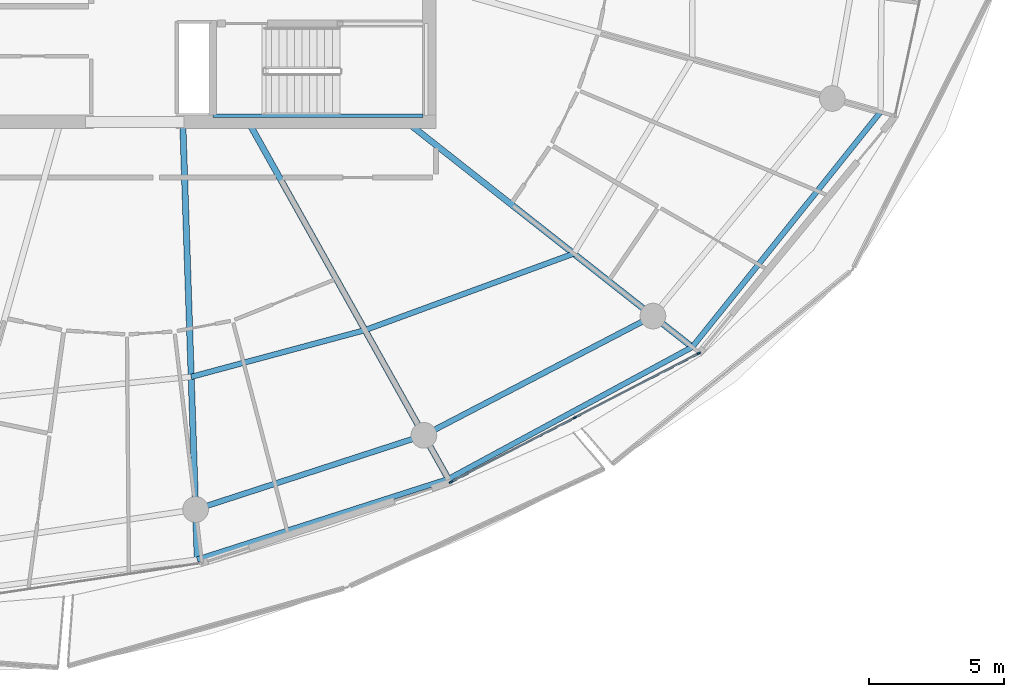
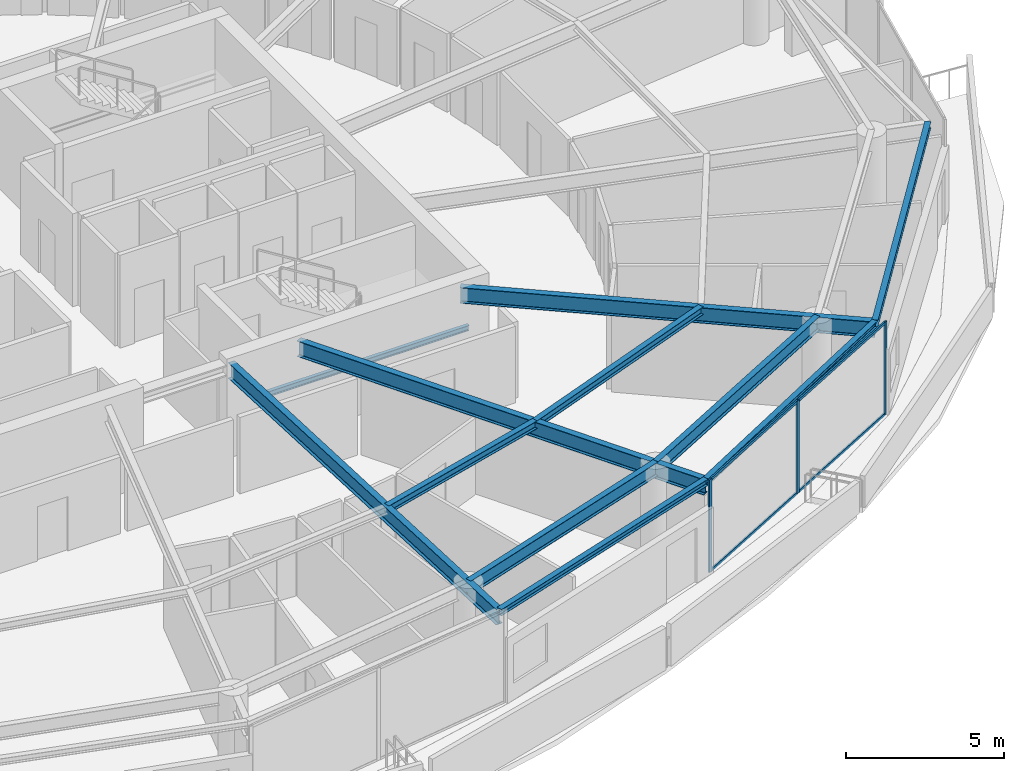
# One storey, part 10 of 30: 11 beams, 7 members, 1 element without a shape of its own.
"""IFC4 building model written with IfcOpenShell, lengths in metres."""

import ifcopenshell
import ifcopenshell.guid

model = None  # the IFC model being written
_history = None  # IfcOwnerHistory: only IFC2X3 demands one
_inside = {}  # id of a spatial element -> (the spatial element, [elements in it])
_under = {}  # id of a project, library or spatial element -> (it, [spatial elements below it])
_declared = {}  # id of a project -> (the project, [libraries it declares])
_typed = {}  # id of a type object -> (the type object, [elements of that type])
_made_of = {}  # id of a material, layer set ... -> (it, [elements and type objects made of it])


def new_model(schema):
    """Start an empty IFC model of exactly this schema.

    Asked for "IFC4X3", IfcOpenShell would pick the latest addendum, in which some entities
    have other attributes; the version numbers below select the first issue.
    IFC2X3 requires an IfcOwnerHistory on every rooted entity: one is made here for all.
    """
    global model, _history
    if schema == "IFC4X3":
        model = ifcopenshell.file(schema_version=(4, 3, 0, 0))
    else:
        model = ifcopenshell.file(schema=schema)
    _inside.clear()
    _under.clear()
    _declared.clear()
    _typed.clear()
    _made_of.clear()
    _history = None
    if model.schema == "IFC2X3":
        org = make("IfcOrganization", Name="unknown")
        user = make(
            "IfcPersonAndOrganization",
            ThePerson=make("IfcPerson", FamilyName="unknown"),
            TheOrganization=org,
        )
        app = make(
            "IfcApplication",
            ApplicationDeveloper=org,
            Version="unknown",
            ApplicationFullName="unknown",
            ApplicationIdentifier="unknown",
        )
        _history = make(
            "IfcOwnerHistory",
            OwningUser=user,
            OwningApplication=app,
            ChangeAction="ADDED",
            CreationDate=0,
        )
    return model


def make(cls, **values):
    """One entity of the class cls with the attributes given. An attribute that is None is left unset."""
    return model.create_entity(
        cls, **{name: value for name, value in values.items() if value is not None}
    )


def rooted(cls, **values):
    """An entity with a GlobalId (a new one), such as an element, a storey or a relation."""
    return make(cls, GlobalId=ifcopenshell.guid.new(), OwnerHistory=_history, **values)


def si_unit(unit_type, name, prefix=None):
    """IfcSIUnit, for example si_unit("LENGTHUNIT", "METRE", prefix="MILLI")."""
    return make("IfcSIUnit", UnitType=unit_type, Prefix=prefix, Name=name)


def assignment(units):
    """IfcUnitAssignment: the units of a project."""
    return None if units is None else make("IfcUnitAssignment", Units=units)


def point(xyz):
    """IfcCartesianPoint."""
    return None if xyz is None else make("IfcCartesianPoint", Coordinates=xyz)


def direction(xyz):
    """IfcDirection."""
    return None if xyz is None else make("IfcDirection", DirectionRatios=xyz)


def frame(location, z_axis=None, x_axis=None):
    """IfcAxis2Placement3D, a coordinate frame: its origin and axes. An axis left out is left unset."""
    return make(
        "IfcAxis2Placement3D",
        Location=point(location),
        Axis=direction(z_axis),
        RefDirection=direction(x_axis),
    )


def frame_2d(location, x_axis=None):
    """IfcAxis2Placement2D, a coordinate frame in the plane: its origin and x axis."""
    return make(
        "IfcAxis2Placement2D", Location=point(location), RefDirection=direction(x_axis)
    )


def origin():
    """The frame at (0, 0, 0) with its axes left unset."""
    return frame((0.0, 0.0, 0.0))


def origin_2d():
    """The frame at (0, 0) in the plane with its x axis left unset."""
    return frame_2d((0.0, 0.0))


def place(relative_to, where):
    """IfcLocalPlacement: puts the frame where relative to a parent placement (None: the world)."""
    return make(
        "IfcLocalPlacement", PlacementRelTo=relative_to, RelativePlacement=where
    )


def context(
    kind, dimensions, precision=None, world=None, true_north=None, identifier=None
):
    """IfcGeometricRepresentationContext, for example the 3D "Model" context."""
    return make(
        "IfcGeometricRepresentationContext",
        ContextIdentifier=identifier,
        ContextType=kind,
        CoordinateSpaceDimension=dimensions,
        Precision=precision,
        WorldCoordinateSystem=world,
        TrueNorth=true_north,
    )


def subcontext(parent, identifier, kind, view, scale=None):
    """IfcGeometricRepresentationSubContext, for example "Body" below "Model"."""
    return make(
        "IfcGeometricRepresentationSubContext",
        ContextIdentifier=identifier,
        ContextType=kind,
        ParentContext=parent,
        TargetScale=scale,
        TargetView=view,
    )


def project(units=None, contexts=None):
    """IfcProject with its units and contexts."""
    return rooted(
        "IfcProject",
        Name="project",
        RepresentationContexts=contexts,
        UnitsInContext=assignment(units),
    )


def spatial(cls, under=None, at=None, **own):
    """A site, building, storey or space (cls), placed at a placement, below another one or the project."""
    s = rooted(cls, ObjectPlacement=at, **own)
    if under is not None:
        _under.setdefault(under.id(), (under, []))[1].append(s)
    return s


def profile(cls, at=None, kind="AREA", **sizes):
    """A parametric profile (cls). Its sizes go by their IFC names, for example OverallWidth=200.0."""
    return make(cls, ProfileType=kind, Position=at, **sizes)


def rectangle(**sizes):
    """IfcRectangleProfileDef."""
    return profile("IfcRectangleProfileDef", **sizes)


def i_section(**sizes):
    """IfcIShapeProfileDef."""
    return profile("IfcIShapeProfileDef", **sizes)


def extrude(swept, where, along, depth):
    """IfcExtrudedAreaSolid: the profile swept, set in the frame where, extruded along a direction by depth."""
    return make(
        "IfcExtrudedAreaSolid",
        SweptArea=swept,
        Position=where,
        ExtrudedDirection=direction(along),
        Depth=depth,
    )


def shape(context_of_items, identifier, shape_type, items):
    """IfcShapeRepresentation: the items that make up one representation, for example the "Body"."""
    return make(
        "IfcShapeRepresentation",
        ContextOfItems=context_of_items,
        RepresentationIdentifier=identifier,
        RepresentationType=shape_type,
        Items=items,
    )


def material(Name=None, Category=None):
    """IfcMaterial."""
    return make("IfcMaterial", Name=Name, Category=Category)


def layer(
    of_material, thickness, ventilated=None, Name=None, Category=None, Priority=None
):
    """IfcMaterialLayer: one layer of a wall or slab, of a material (None: an air gap)."""
    return make(
        "IfcMaterialLayer",
        Material=of_material,
        LayerThickness=thickness,
        IsVentilated=ventilated,
        Name=Name,
        Category=Category,
        Priority=Priority,
    )


def layer_set(layers, Name=None):
    """IfcMaterialLayerSet."""
    return make("IfcMaterialLayerSet", MaterialLayers=layers, LayerSetName=Name)


def material_profile(
    of_material, cross_section, Name=None, Category=None, Priority=None
):
    """IfcMaterialProfile: a cross section and its material."""
    return make(
        "IfcMaterialProfile",
        Name=Name,
        Material=of_material,
        Profile=cross_section,
        Priority=Priority,
        Category=Category,
    )


def profile_set(profiles, Name=None, composite=None):
    """IfcMaterialProfileSet."""
    return make(
        "IfcMaterialProfileSet",
        Name=Name,
        MaterialProfiles=profiles,
        CompositeProfile=composite,
    )


def made_of(thing, what):
    """Note that an element or type object is made of a material, layer set ...; save() writes the relation."""
    if what is not None:
        _made_of.setdefault(what.id(), (what, []))[1].append(thing)
    return thing


def type_object(cls, material=None, **own):
    """A type object (cls), such as IfcWallType, which elements share."""
    return made_of(rooted(cls, **own), material)


def element(
    cls,
    number,
    at=None,
    inside=None,
    cuts=None,
    type_object=None,
    material=None,
    context=None,
    identifier="Body",
    shape_type=None,
    held_by="IfcProductDefinitionShape",
    body=None,
    shapes=None,
    **own,
):
    """One element of the class cls, such as IfcWall. Its Tag is "e" and its number.

    at: its placement. inside: the storey or other place that contains it. cuts: it is an
    opening in that element (IfcRelVoidsElement). A single representation is given by context,
    identifier, shape_type and body (its items); several are given by shapes. held_by: the class
    of the entity that holds the representations. save() writes the other relations.
    """
    e = rooted(cls, Tag="e%d" % number, ObjectPlacement=at, **own)
    if body is not None:
        shapes = [shape(context, identifier, shape_type, body)]
    if shapes is not None:
        e.Representation = make(held_by, Representations=shapes)
    if inside is not None:
        _inside.setdefault(inside.id(), (inside, []))[1].append(e)
    if cuts is not None:
        rooted(
            "IfcRelVoidsElement", RelatingBuildingElement=cuts, RelatedOpeningElement=e
        )
    if type_object is not None:
        _typed.setdefault(type_object.id(), (type_object, []))[1].append(e)
    return made_of(e, material)


def aggregate(whole, parts):
    """IfcRelAggregates: a whole, such as a stair, and the parts it consists of."""
    return rooted("IfcRelAggregates", RelatingObject=whole, RelatedObjects=parts)


def save(model, path):
    """Write the relations noted so far, then the file.

    IfcRelAggregates (storeys below a building ...), IfcRelContainedInSpatialStructure (elements
    in a storey), IfcRelDefinesByType, IfcRelAssociatesMaterial and IfcRelDeclares: one each for
    every whole, place, type object, material and project.
    """
    for whole, parts in _under.values():
        aggregate(whole, parts)
    for where, things in _inside.values():
        rooted(
            "IfcRelContainedInSpatialStructure",
            RelatedElements=things,
            RelatingStructure=where,
        )
    for kind, things in _typed.values():
        rooted("IfcRelDefinesByType", RelatedObjects=things, RelatingType=kind)
    for what, things in _made_of.values():
        rooted("IfcRelAssociatesMaterial", RelatedObjects=things, RelatingMaterial=what)
    for by, libraries in _declared.values():
        rooted("IfcRelDeclares", RelatingContext=by, RelatedDefinitions=libraries)
    model.write(path)


model = new_model("IFC4")

# Units and contexts
model_context = context("Model", 3, precision=1e-05, world=origin(), true_north=direction((0.0, 1.0)))
body_context = subcontext(model_context, "Body", "Model", "MODEL_VIEW")
ifc_project = project(units=[si_unit("LENGTHUNIT", "METRE"), si_unit("AREAUNIT", "SQUARE_METRE"), si_unit("VOLUMEUNIT", "CUBIC_METRE"), si_unit("PLANEANGLEUNIT", "RADIAN"), si_unit("MASSUNIT", "GRAM", prefix="KILO")], contexts=[model_context])

# Site, building, storey
site_placement = place(None, origin())
site = spatial("IfcSite", under=ifc_project, at=site_placement, CompositionType="ELEMENT")
building_placement = place(site_placement, origin())
building = spatial("IfcBuilding", under=site, at=building_placement, Name="Kazma Halo Residences", CompositionType="ELEMENT")
storey_placement = place(building_placement, frame((0.0, 0.0, 298.300048828125)))
storey = spatial("IfcBuildingStorey", under=building, at=storey_placement, Name="L75", CompositionType="ELEMENT", Elevation=298.300048828125)

# Beams
ifc_material_1 = material(Name="Steel S355", Category="steel")
ifc_material_profile_1 = material_profile(ifc_material_1, i_section(OverallWidth=0.201904296875, OverallDepth=0.2470703125, WebThickness=0.00732421875, FlangeThickness=0.010986328125, FilletRadius=0.011962890625, at=origin_2d()), Name="W250x49.1")
ifc_profile_set_1 = profile_set([ifc_material_profile_1], Name="Steel S355")
beam_type_1 = type_object("IfcBeamType", Name="BM-BAL-CANT", PredefinedType="BEAM", material=ifc_profile_set_1)
beam_1_placement = place(storey_placement, frame((50.732666015625, 17.580078125, 3.466552734375), z_axis=(0.952222879483, 0.305403974742, 0.0), x_axis=(-0.305403974742, 0.952222879483, 0.0)))
element("IfcBeam", 1, at=beam_1_placement, inside=storey, type_object=beam_type_1, Name="L75 wave-balcony tie beam 12", PredefinedType="BEAM", context=body_context, shape_type="SweptSolid", body=[
    extrude(i_section(OverallWidth=0.201904296875, OverallDepth=0.2470703125, WebThickness=0.00732421875, FlangeThickness=0.010986328125, FilletRadius=0.011962890625, at=origin_2d()), origin(), (0.0, 0.0, 1.0), 9.742431640625),
])
beam_2_placement = place(storey_placement, frame((60.009521484375, 20.555419921875, 3.466552734375), z_axis=(0.879517282036, 0.475866946321, 0.0), x_axis=(-0.475866946321, 0.879517282036, 0.0)))
element("IfcBeam", 2, at=beam_2_placement, inside=storey, type_object=beam_type_1, Name="L75 wave-balcony tie beam 13", PredefinedType="BEAM", context=body_context, shape_type="SweptSolid", body=[
    extrude(i_section(OverallWidth=0.201904296875, OverallDepth=0.2470703125, WebThickness=0.00732421875, FlangeThickness=0.010986328125, FilletRadius=0.011962890625, at=origin_2d()), origin(), (0.0, 0.0, 1.0), 10.243408203125),
])
beam_3_placement = place(storey_placement, frame((69.018798828125, 25.429931640625, 3.466552734375), z_axis=(0.625117912406, 0.780530329705, 0.0), x_axis=(-0.780530329705, 0.625117912406, 0.0)))
element("IfcBeam", 3, at=beam_3_placement, inside=storey, type_object=beam_type_1, Name="L75 wave-balcony tie beam 14", PredefinedType="BEAM", context=body_context, shape_type="SweptSolid", body=[
    extrude(i_section(OverallWidth=0.201904296875, OverallDepth=0.2470703125, WebThickness=0.00732421875, FlangeThickness=0.010986328125, FilletRadius=0.011962890625, at=origin_2d()), origin(), (0.0, 0.0, 1.0), 11.1220703125),
])
ifc_material_profile_2 = material_profile(ifc_material_1, i_section(OverallWidth=0.22802734375, OverallDepth=0.60791015625, WebThickness=0.01123046875, FlangeThickness=0.017333984375, FilletRadius=0.01806640625, at=origin_2d()), Name="W610x113")
ifc_profile_set_2 = profile_set([ifc_material_profile_2], Name="Steel S355")
beam_type_2 = type_object("IfcBeamType", Name="BM-RAD-W610", PredefinedType="BEAM", material=ifc_profile_set_2)
beam_4_placement = place(storey_placement, frame((50.199951171875, 33.64990234375, 3.285888671875), z_axis=(0.033131810975, -0.999450990845, 0.0), x_axis=(0.999450990845, 0.033131810975, 0.0)))
element("IfcBeam", 4, at=beam_4_placement, inside=storey, type_object=beam_type_2, Name="L75 radial floor beam 12", PredefinedType="BEAM", context=body_context, shape_type="SweptSolid", body=[
    extrude(i_section(OverallWidth=0.22802734375, OverallDepth=0.60791015625, WebThickness=0.01123046875, FlangeThickness=0.017333984375, FilletRadius=0.01806640625, at=origin_2d()), origin(), (0.0, 0.0, 1.0), 16.07861328125),
])
beam_5_placement = place(storey_placement, frame((52.67626953125, 33.64990234375, 3.285888671875), z_axis=(0.488620706085, -0.872496306918, 0.0), x_axis=(0.872496306918, 0.488620706085, 0.0)))
element("IfcBeam", 5, at=beam_5_placement, inside=storey, type_object=beam_type_2, Name="L75 radial floor beam 13", PredefinedType="BEAM", context=body_context, shape_type="SweptSolid", body=[
    extrude(i_section(OverallWidth=0.22802734375, OverallDepth=0.60791015625, WebThickness=0.01123046875, FlangeThickness=0.017333984375, FilletRadius=0.01806640625, at=origin_2d()), origin(), (0.0, 0.0, 1.0), 15.008056640625),
])
beam_6_placement = place(storey_placement, frame((58.591796875, 33.64990234375, 3.285888671875), z_axis=(0.785317474283, -0.619093260007, 0.0), x_axis=(0.619093260007, 0.785317474283, 0.0)))
element("IfcBeam", 6, at=beam_6_placement, inside=storey, type_object=beam_type_2, Name="L75 radial floor beam 14", PredefinedType="BEAM", context=body_context, shape_type="SweptSolid", body=[
    extrude(i_section(OverallWidth=0.22802734375, OverallDepth=0.60791015625, WebThickness=0.01123046875, FlangeThickness=0.017333984375, FilletRadius=0.01806640625, at=origin_2d()), origin(), (0.0, 0.0, 1.0), 13.27734375),
])
ifc_material_profile_3 = material_profile(ifc_material_1, i_section(OverallWidth=0.202880859375, OverallDepth=0.302978515625, WebThickness=0.007568359375, FlangeThickness=0.01318359375, FilletRadius=0.013916015625, at=origin_2d()), Name="W310x60")
ifc_profile_set_3 = profile_set([ifc_material_profile_3], Name="Steel S355")
beam_type_3 = type_object("IfcBeamType", Name="BM-SEC-W310A", PredefinedType="JOIST", material=ifc_profile_set_3)
beam_7_placement = place(storey_placement, frame((50.509033203125, 24.32958984375, 3.4384765625), z_axis=(0.965728418457, 0.259554660493, 0.0), x_axis=(-0.259554660493, 0.965728418457, 0.0)))
element("IfcBeam", 7, at=beam_7_placement, inside=storey, type_object=beam_type_3, Name="L75 circumferential floor joist 12", PredefinedType="JOIST", context=body_context, shape_type="SweptSolid", body=[
    extrude(i_section(OverallWidth=0.202880859375, OverallDepth=0.302978515625, WebThickness=0.007568359375, FlangeThickness=0.01318359375, FilletRadius=0.013916015625, at=origin_2d()), origin(), (0.0, 0.0, 1.0), 6.648193359375),
])
beam_8_placement = place(storey_placement, frame((56.929443359375, 26.05517578125, 3.4384765625), z_axis=(0.938873433212, 0.344262510896, 0.0), x_axis=(-0.344262510896, 0.938873433212, 0.0)))
element("IfcBeam", 8, at=beam_8_placement, inside=storey, type_object=beam_type_3, Name="L75 circumferential floor joist 13", PredefinedType="JOIST", context=body_context, shape_type="SweptSolid", body=[
    extrude(i_section(OverallWidth=0.202880859375, OverallDepth=0.302978515625, WebThickness=0.007568359375, FlangeThickness=0.01318359375, FilletRadius=0.013916015625, at=origin_2d()), origin(), (0.0, 0.0, 1.0), 8.212158203125),
])
ifc_material_profile_4 = material_profile(ifc_material_1, i_section(OverallWidth=0.208984375, OverallDepth=0.532958984375, WebThickness=0.01025390625, FlangeThickness=0.015625, FilletRadius=0.01611328125, at=origin_2d()), Name="W530x92")
ifc_profile_set_4 = profile_set([ifc_material_profile_4], Name="Steel S355")
beam_type_4 = type_object("IfcBeamType", Name="BM-SPN-W530", PredefinedType="BEAM", material=ifc_profile_set_4)
beam_9_placement = place(storey_placement, frame((50.67138671875, 19.42919921875, 3.323486328125), z_axis=(0.951053893407, 0.309025066679, 0.0), x_axis=(-0.309025066679, 0.951053893407, 0.0)))
element("IfcBeam", 9, at=beam_9_placement, inside=storey, type_object=beam_type_4, Name="L75 perimeter ring beam 12", PredefinedType="BEAM", context=body_context, shape_type="SweptSolid", body=[
    extrude(i_section(OverallWidth=0.208984375, OverallDepth=0.532958984375, WebThickness=0.01025390625, FlangeThickness=0.015625, FilletRadius=0.01611328125, at=origin_2d()), origin(), (0.0, 0.0, 1.0), 8.8681640625),
])
beam_10_placement = place(storey_placement, frame((59.10546875, 22.169677734375, 3.323486328125), z_axis=(0.886961047115, 0.461844238788, 0.0), x_axis=(-0.461844238788, 0.886961047115, 0.0)))
element("IfcBeam", 10, at=beam_10_placement, inside=storey, type_object=beam_type_4, Name="L75 perimeter ring beam 13", PredefinedType="BEAM", context=body_context, shape_type="SweptSolid", body=[
    extrude(i_section(OverallWidth=0.208984375, OverallDepth=0.532958984375, WebThickness=0.01025390625, FlangeThickness=0.015625, FilletRadius=0.01611328125, at=origin_2d()), origin(), (0.0, 0.0, 1.0), 9.5390625),
])
ifc_material_profile_5 = material_profile(ifc_material_1, i_section(OverallWidth=0.133056640625, OverallDepth=0.20703125, WebThickness=0.005859375, FlangeThickness=0.00830078125, FilletRadius=0.010009765625, at=origin_2d()), Name="W200x26.6")
ifc_profile_set_5 = profile_set([ifc_material_profile_5], Name="Steel S355")
beam_type_5 = type_object("IfcBeamType", Name="BM-TRIM-W200", PredefinedType="BEAM", material=ifc_profile_set_5)
beam_11_placement = place(storey_placement, frame((51.31005859375, 33.97998046875, 1.619873046875), z_axis=(1.0, 0.0, 0.0), x_axis=(0.0, 1.0, 0.0)))
element("IfcBeam", 11, at=beam_11_placement, inside=storey, type_object=beam_type_5, Name="L75 ST-03 landing south wall ledger", PredefinedType="BEAM", context=body_context, shape_type="SweptSolid", body=[
    extrude(i_section(OverallWidth=0.133056640625, OverallDepth=0.20703125, WebThickness=0.005859375, FlangeThickness=0.00830078125, FilletRadius=0.010009765625, at=origin_2d()), origin(), (0.0, 0.0, 1.0), 7.760009765625),
])

# Curtain wall, members
ifc_material_2 = material(Name="Aluminium AW-6063 T6 and Triple-Silver Low-E Glass", Category="aluminium")
ifc_layer = layer(ifc_material_2, 0.139892578125)
ifc_layer_set = layer_set([ifc_layer], Name="Aluminium AW-6063 T6 and Triple-Silver Low-E Glass")
curtain_wall_type = type_object("IfcCurtainWallType", Name="CW-SYS-5", PredefinedType="NOTDEFINED", material=ifc_layer_set)
curtain_wall_placement = place(storey_placement, origin())
curtain_wall = element("IfcCurtainWall", 12, at=curtain_wall_placement, inside=storey, type_object=curtain_wall_type, Name="L75 unitised curtain wall B13", PredefinedType="NOTDEFINED")
ifc_material_3 = material(Name="Aluminium AW-6063 T6", Category="aluminium")
ifc_material_profile_6 = material_profile(ifc_material_3, rectangle(XDim=0.06005859375, YDim=0.139892578125, at=origin_2d()), Name="CWM-60x140")
ifc_profile_set_6 = profile_set([ifc_material_profile_6], Name="Aluminium AW-6063 T6")
member_type_1 = type_object("IfcMemberType", Name="CW-SYS-5-MUL", PredefinedType="MULLION", material=ifc_profile_set_6)
member_1_placement = place(storey_placement, frame((60.105224609375, 20.446044921875, 0.0), z_axis=(0.0, 0.0, 1.0), x_axis=(-0.460960760804, 0.887420518694, 0.0)))
member_1 = element("IfcMember", 13, at=member_1_placement, type_object=member_type_1, Name="CWS-5 mullion 1", PredefinedType="MULLION", context=body_context, shape_type="SweptSolid", body=[
    extrude(rectangle(XDim=0.06005859375, YDim=0.139892578125, at=origin_2d()), origin(), (0.0, 0.0, 1.0), 3.58984375),
])
member_2_placement = place(storey_placement, frame((64.68408203125, 22.824462890625, 0.0), z_axis=(0.0, 0.0, 1.0), x_axis=(-0.460960760804, 0.887420518694, 0.0)))
member_2 = element("IfcMember", 14, at=member_2_placement, type_object=member_type_1, Name="CWS-5 mullion 2", PredefinedType="MULLION", context=body_context, shape_type="SweptSolid", body=[
    extrude(rectangle(XDim=0.06005859375, YDim=0.139892578125, at=origin_2d()), origin(), (0.0, 0.0, 1.0), 3.58984375),
])
member_3_placement = place(storey_placement, frame((69.262939453125, 25.202880859375, 0.0), z_axis=(0.0, 0.0, 1.0), x_axis=(-0.460960760804, 0.887420518694, 0.0)))
member_3 = element("IfcMember", 15, at=member_3_placement, type_object=member_type_1, Name="CWS-5 mullion 3", PredefinedType="MULLION", context=body_context, shape_type="SweptSolid", body=[
    extrude(rectangle(XDim=0.06005859375, YDim=0.139892578125, at=origin_2d()), origin(), (0.0, 0.0, 1.0), 3.58984375),
])
ifc_material_profile_7 = material_profile(ifc_material_3, rectangle(XDim=0.06005859375, YDim=0.10498046875, at=origin_2d()), Name="CWT-60x105")
ifc_profile_set_7 = profile_set([ifc_material_profile_7], Name="Aluminium AW-6063 T6")
member_type_2 = type_object("IfcMemberType", Name="CW-SYS-5-TRN", PredefinedType="USERDEFINED", material=ifc_profile_set_7)
member_4_placement = place(storey_placement, frame((60.1318359375, 20.4599609375, 0.030029296875), z_axis=(0.887436955863, 0.46092911534, 0.0), x_axis=(-0.46092911534, 0.887436955863, 0.0)))
member_4 = element("IfcMember", 16, at=member_4_placement, type_object=member_type_2, Name="CWS-5 transom 1.1", ObjectType="TRANSOM", PredefinedType="USERDEFINED", context=body_context, shape_type="SweptSolid", body=[
    extrude(rectangle(XDim=0.06005859375, YDim=0.10498046875, at=origin_2d()), origin(), (0.0, 0.0, 1.0), 5.099609375),
])
member_5_placement = place(storey_placement, frame((60.1318359375, 20.4599609375, 3.56005859375), z_axis=(0.887436955863, 0.46092911534, 0.0), x_axis=(-0.46092911534, 0.887436955863, 0.0)))
member_5 = element("IfcMember", 17, at=member_5_placement, type_object=member_type_2, Name="CWS-5 transom 1.2", ObjectType="TRANSOM", PredefinedType="USERDEFINED", context=body_context, shape_type="SweptSolid", body=[
    extrude(rectangle(XDim=0.06005859375, YDim=0.10498046875, at=origin_2d()), origin(), (0.0, 0.0, 1.0), 5.099609375),
])
member_6_placement = place(storey_placement, frame((64.710693359375, 22.83837890625, 0.030029296875), z_axis=(0.887436955863, 0.46092911534, 0.0), x_axis=(-0.46092911534, 0.887436955863, 0.0)))
member_6 = element("IfcMember", 18, at=member_6_placement, type_object=member_type_2, Name="CWS-5 transom 2.1", ObjectType="TRANSOM", PredefinedType="USERDEFINED", context=body_context, shape_type="SweptSolid", body=[
    extrude(rectangle(XDim=0.06005859375, YDim=0.10498046875, at=origin_2d()), origin(), (0.0, 0.0, 1.0), 5.099609375),
])
member_7_placement = place(storey_placement, frame((64.710693359375, 22.83837890625, 3.56005859375), z_axis=(0.887436955863, 0.46092911534, 0.0), x_axis=(-0.46092911534, 0.887436955863, 0.0)))
member_7 = element("IfcMember", 19, at=member_7_placement, type_object=member_type_2, Name="CWS-5 transom 2.2", ObjectType="TRANSOM", PredefinedType="USERDEFINED", context=body_context, shape_type="SweptSolid", body=[
    extrude(rectangle(XDim=0.06005859375, YDim=0.10498046875, at=origin_2d()), origin(), (0.0, 0.0, 1.0), 5.099609375),
])
aggregate(curtain_wall, [member_1, member_2, member_3, member_4, member_5, member_6, member_7])

save(model, "model.ifc")
